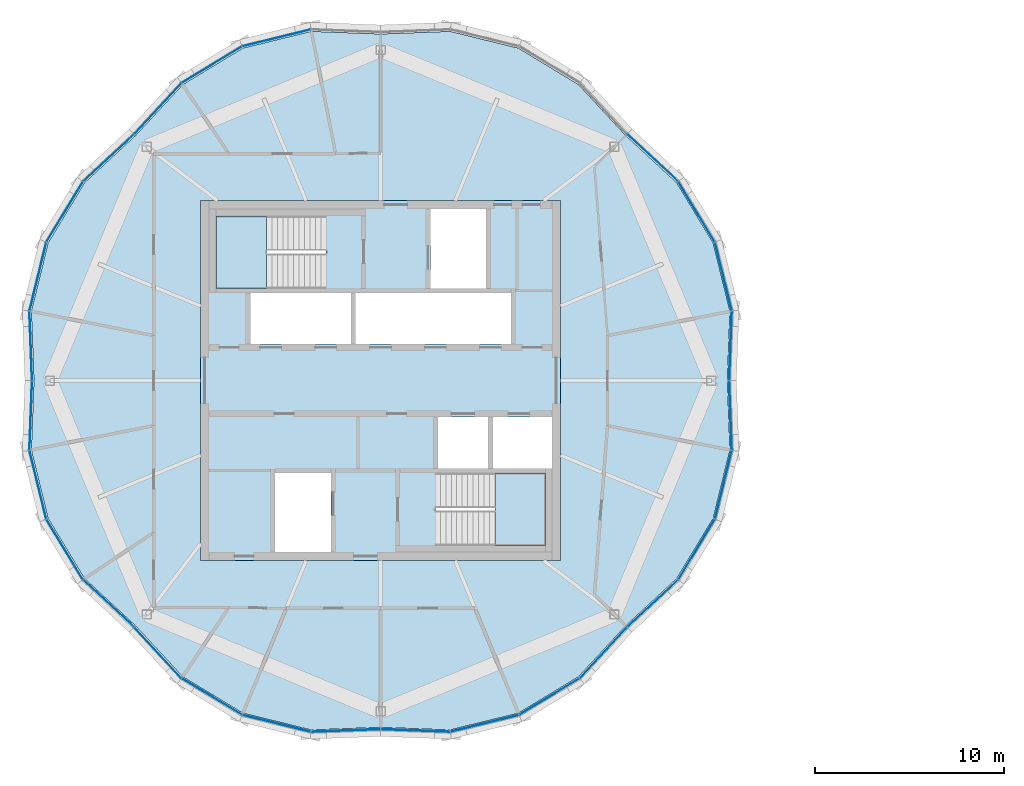
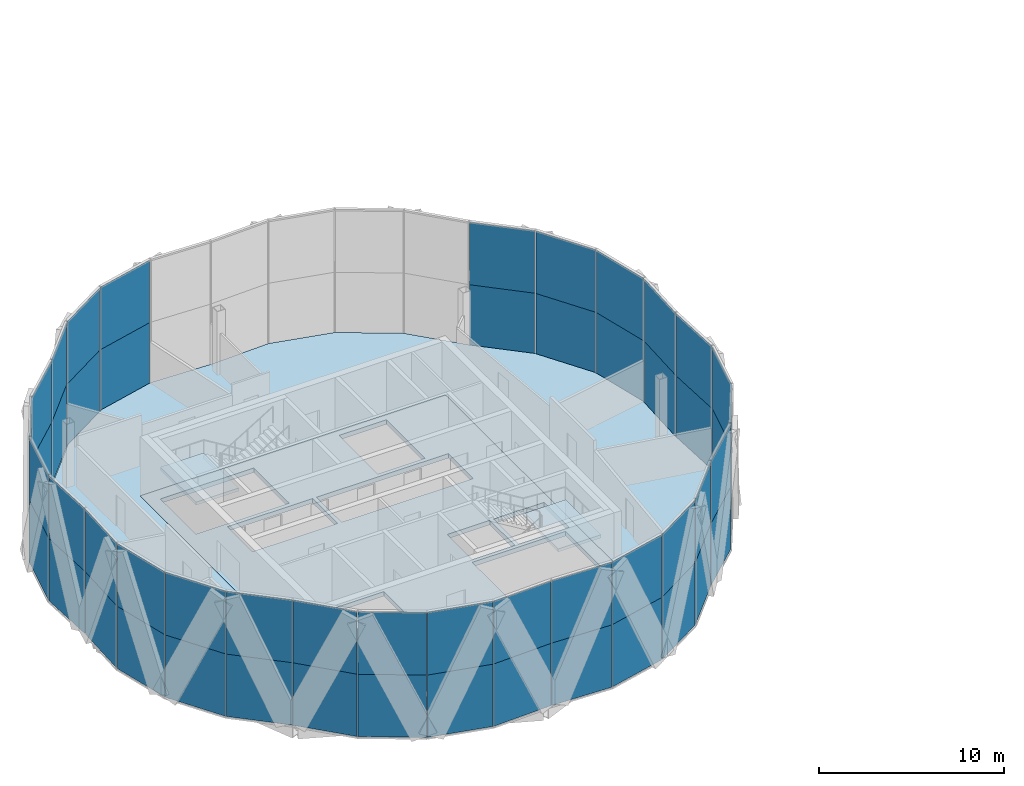
# One storey, part 12 of 22: 54 plates, 4 slabs, 9 elements without a shape of their own.
"""IFC4 building model written with IfcOpenShell, lengths in metres."""

from ifc_helpers import new_model, si_unit, direction, frame, origin, origin_2d, place, context, subcontext, project, spatial, polyline, rectangle, outline, extrude, material, layer, layer_set, type_object, element, aggregate, save


model = new_model("IFC4")

# Units and contexts
model_context = context("Model", 3, precision=1e-05, world=origin(), true_north=direction((0.0, 1.0)))
body_context = subcontext(model_context, "Body", "Model", "MODEL_VIEW")
ifc_project = project(units=[si_unit("LENGTHUNIT", "METRE"), si_unit("AREAUNIT", "SQUARE_METRE"), si_unit("VOLUMEUNIT", "CUBIC_METRE"), si_unit("PLANEANGLEUNIT", "RADIAN"), si_unit("MASSUNIT", "GRAM", prefix="KILO")], contexts=[model_context])

# Site, building, storey
site_placement = place(None, origin())
site = spatial("IfcSite", under=ifc_project, at=site_placement, CompositionType="ELEMENT")
building_placement = place(site_placement, origin())
building = spatial("IfcBuilding", under=site, at=building_placement, Name="Ogive Gate Towers", CompositionType="ELEMENT")
storey_placement = place(building_placement, frame((0.0, 0.0, 285.60009765625)))
storey = spatial("IfcBuildingStorey", under=building, at=storey_placement, Name="L67", CompositionType="ELEMENT", Elevation=285.60009765625)

# Slabs
ifc_material_1 = material(Name="Concrete C40/50", Category="concrete")
ifc_layer_1 = layer(ifc_material_1, 0.300048828125)
ifc_layer_set_1 = layer_set([ifc_layer_1], Name="Core slab C40/50 300 mm")
slab_type_1 = type_object("IfcSlabType", Name="Core slab C40/50 300 mm", PredefinedType="FLOOR", material=ifc_layer_set_1)
slab_1_placement = place(storey_placement, frame((0.0, 0.0, -0.300048828125)))
element("IfcSlab", 1, at=slab_1_placement, inside=storey, type_object=slab_type_1, Name="T1 L67 core slab", PredefinedType="FLOOR", context=body_context, shape_type="SweptSolid", body=[
    extrude(outline(polyline([(-45.5, -9.5), (-45.5, 9.5), (-26.5, 9.5), (-26.5, -9.5), (-45.5, -9.5)]), holes=[polyline([(-42.875, 1.925048828125), (-37.574951171875, 1.925048828125), (-37.574951171875, 4.625), (-42.875, 4.625), (-42.875, 1.925048828125)]), polyline([(-37.324951171875, 4.625), (-37.324951171875, 1.925048828125), (-29.125, 1.925048828125), (-29.125, 4.625), (-37.324951171875, 4.625)]), polyline([(-30.324951171875, -1.925048828125), (-32.97509765625, -1.925048828125), (-32.97509765625, -4.625), (-30.324951171875, -4.625), (-30.324951171875, -1.925048828125)]), polyline([(-26.949951171875, -4.625), (-26.949951171875, -1.925048828125), (-30.074951171875, -1.925048828125), (-30.074951171875, -4.625), (-26.949951171875, -4.625)]), polyline([(-33.375, 4.875), (-30.425048828125, 4.875), (-30.425048828125, 9.050048828125), (-33.375, 9.050048828125), (-33.375, 4.875)]), polyline([(-41.574951171875, -4.875), (-41.574951171875, -9.050048828125), (-38.625, -9.050048828125), (-38.625, -4.875), (-41.574951171875, -4.875)]), polyline([(-44.699951171875, 4.875), (-38.885009765625, 4.875), (-38.885009765625, 8.699951171875), (-44.699951171875, 8.699951171875), (-44.699951171875, 4.875)]), polyline([(-27.300048828125, -8.699951171875), (-27.300048828125, -4.875), (-33.114990234375, -4.875), (-33.114990234375, -8.699951171875), (-27.300048828125, -8.699951171875)])]), origin(), (0.0, 0.0, 1.0), 0.300048828125),
])
ifc_material_2 = material(Name="Concrete C35/45", Category="concrete")
ifc_layer_2 = layer(ifc_material_2, 0.300048828125)
ifc_layer_set_2 = layer_set([ifc_layer_2], Name="Floor slab 300")
slab_type_2 = type_object("IfcSlabType", Name="Floor slab 300", PredefinedType="FLOOR", material=ifc_layer_set_2)
slab_2_placement = place(storey_placement, frame((0.0, 0.0, -0.300048828125)))
element("IfcSlab", 2, at=slab_2_placement, inside=storey, type_object=slab_type_2, Name="T1/L67/SSL001", PredefinedType="FLOOR", context=body_context, shape_type="SweptSolid", body=[
    extrude(outline(polyline([(-17.561279296875, -3.667724609375), (-17.699951171875, 0.0), (-17.561279296875, 3.667724609375), (-18.4462890625, 7.27099609375), (-20.368408203125, 10.44482421875), (-23.06005859375, 12.93994140625), (-25.55517578125, 15.631591796875), (-28.72900390625, 17.5537109375), (-32.332275390625, 18.438720703125), (-36.0, 18.300048828125), (-39.667724609375, 18.438720703125), (-43.27099609375, 17.5537109375), (-46.44482421875, 15.631591796875), (-48.93994140625, 12.93994140625), (-51.631591796875, 10.44482421875), (-53.5537109375, 7.27099609375), (-54.438720703125, 3.667724609375), (-54.300048828125, 0.0), (-54.438720703125, -3.667724609375), (-53.5537109375, -7.27099609375), (-51.631591796875, -10.44482421875), (-48.93994140625, -12.93994140625), (-46.44482421875, -15.631591796875), (-43.27099609375, -17.5537109375), (-39.667724609375, -18.438720703125), (-36.0, -18.300048828125), (-32.332275390625, -18.438720703125), (-28.72900390625, -17.5537109375), (-25.55517578125, -15.631591796875), (-23.06005859375, -12.93994140625), (-20.368408203125, -10.44482421875), (-18.4462890625, -7.27099609375), (-17.561279296875, -3.667724609375)]), holes=[polyline([(-26.5, -9.5), (-45.5, -9.5), (-45.5, 9.5), (-26.5, 9.5), (-26.5, -9.5)])]), origin(), (0.0, 0.0, 1.0), 0.300048828125),
])

# Stair, slab
stair_type = type_object("IfcStairType", Name="Escape stair 1840 wide", PredefinedType="HALF_TURN_STAIR", material=ifc_material_1)
stair_1_placement = place(storey_placement, origin())
stair_1 = element("IfcStair", 3, at=stair_1_placement, inside=storey, type_object=stair_type, Name="L67 Escape stair 1", PredefinedType="HALF_TURN_STAIR")
ifc_layer_3 = layer(ifc_material_1, 0.199951171875)
ifc_layer_set_3 = layer_set([ifc_layer_3], Name="Stair landing 200 mm")
slab_type_3 = type_object("IfcSlabType", Name="Stair landing 200 mm", PredefinedType="LANDING", material=ifc_layer_set_3)
slab_3_placement = place(storey_placement, frame((0.0, 0.0, 1.89990234375)))
slab_3 = element("IfcSlab", 4, at=slab_3_placement, type_object=slab_type_3, Name="ST1 landing 1", PredefinedType="LANDING", context=body_context, shape_type="SweptSolid", body=[
    extrude(outline(polyline([(-42.027587890625, 8.699951171875), (-44.699951171875, 8.699951171875), (-44.699951171875, 4.875), (-42.027587890625, 4.875), (-42.027587890625, 8.699951171875)])), origin(), (0.0, 0.0, 1.0), 0.199951171875),
])
aggregate(stair_1, [slab_3])

stair_2_placement = place(storey_placement, origin())
stair_2 = element("IfcStair", 5, at=stair_2_placement, inside=storey, type_object=stair_type, Name="L67 Escape stair 2", PredefinedType="HALF_TURN_STAIR")
slab_4_placement = place(storey_placement, frame((0.0, 0.0, 1.89990234375)))
slab_4 = element("IfcSlab", 6, at=slab_4_placement, type_object=slab_type_3, Name="ST2 landing 1", PredefinedType="LANDING", context=body_context, shape_type="SweptSolid", body=[
    extrude(outline(polyline([(-29.972412109375, -8.699951171875), (-27.300048828125, -8.699951171875), (-27.300048828125, -4.875), (-29.972412109375, -4.875), (-29.972412109375, -8.699951171875)])), origin(), (0.0, 0.0, 1.0), 0.199951171875),
])
aggregate(stair_2, [slab_4])

# Curtain wall, plates
ifc_material_3 = material(Name="Pale metal aluminium", Category="aluminium")
curtain_wall_type = type_object("IfcCurtainWallType", Name="Tower unitised wall, high zone", PredefinedType="NOTDEFINED", material=ifc_material_3)
curtain_wall_1_placement = place(storey_placement, origin())
curtain_wall_1 = element("IfcCurtainWall", 7, at=curtain_wall_1_placement, inside=storey, type_object=curtain_wall_type, Name="CW2 T1 ECW01", PredefinedType="NOTDEFINED")
ifc_material_4 = material(Name="Clear glass", Category="glass")
ifc_layer_4 = layer(ifc_material_4, 0.028076171875)
ifc_layer_set_4 = layer_set([ifc_layer_4], Name="Tower unitised wall, high zone glass panel")
plate_type = type_object("IfcPlateType", Name="Tower unitised wall, high zone glass panel", PredefinedType="CURTAIN_PANEL", material=ifc_layer_set_4)
plate_1_placement = place(storey_placement, frame((-17.530517578125, 1.8369140625, -0.2041015625), z_axis=(0.0, 0.0, 1.0), x_axis=(0.037794827812, 0.999285520255, 0.0)))
plate_1 = element("IfcPlate", 8, at=plate_1_placement, type_object=plate_type, Name="CW2 glass panel", PredefinedType="CURTAIN_PANEL", context=body_context, shape_type="SweptSolid", body=[
    extrude(rectangle(XDim=3.62255859375, YDim=0.028076171875, at=origin_2d()), origin(), (0.0, 0.0, 1.0), 4.10400390625),
])
plate_2_placement = place(storey_placement, frame((-17.530517578125, 1.8369140625, 3.89990234375), z_axis=(0.0, 0.0, 1.0), x_axis=(0.037794827812, 0.999285520255, 0.0)))
plate_2 = element("IfcPlate", 9, at=plate_2_placement, type_object=plate_type, Name="CW2 glass panel", PredefinedType="CURTAIN_PANEL", context=body_context, shape_type="SweptSolid", body=[
    extrude(rectangle(XDim=3.62255859375, YDim=0.028076171875, at=origin_2d()), origin(), (0.0, 0.0, 1.0), 4.10400390625),
])
plate_3_placement = place(storey_placement, frame((-17.90673828125, 5.49365234375, -0.2041015625), z_axis=(0.0, 0.0, 1.0), x_axis=(-0.238516508052, 0.971138442956, 0.0)))
plate_3 = element("IfcPlate", 10, at=plate_3_placement, type_object=plate_type, Name="CW2 glass panel", PredefinedType="CURTAIN_PANEL", context=body_context, shape_type="SweptSolid", body=[
    extrude(rectangle(XDim=3.677490234375, YDim=0.028076171875, at=origin_2d()), origin(), (0.0, 0.0, 1.0), 4.10400390625),
])
plate_4_placement = place(storey_placement, frame((-17.90673828125, 5.49365234375, 3.89990234375), z_axis=(0.0, 0.0, 1.0), x_axis=(-0.238516508052, 0.971138442956, 0.0)))
plate_4 = element("IfcPlate", 11, at=plate_4_placement, type_object=plate_type, Name="CW2 glass panel", PredefinedType="CURTAIN_PANEL", context=body_context, shape_type="SweptSolid", body=[
    extrude(rectangle(XDim=3.677490234375, YDim=0.028076171875, at=origin_2d()), origin(), (0.0, 0.0, 1.0), 4.10400390625),
])
plate_5_placement = place(storey_placement, frame((-19.321533203125, 8.9091796875, -0.2041015625), z_axis=(0.0, 0.0, 1.0), x_axis=(-0.518027009373, 0.855364260161, 0.0)))
plate_5 = element("IfcPlate", 12, at=plate_5_placement, type_object=plate_type, Name="CW2 glass panel", PredefinedType="CURTAIN_PANEL", context=body_context, shape_type="SweptSolid", body=[
    extrude(rectangle(XDim=3.677490234375, YDim=0.028076171875, at=origin_2d()), origin(), (0.0, 0.0, 1.0), 4.10400390625),
])
plate_6_placement = place(storey_placement, frame((-19.321533203125, 8.9091796875, 3.89990234375), z_axis=(0.0, 0.0, 1.0), x_axis=(-0.518027009373, 0.855364260161, 0.0)))
plate_6 = element("IfcPlate", 13, at=plate_6_placement, type_object=plate_type, Name="CW2 glass panel", PredefinedType="CURTAIN_PANEL", context=body_context, shape_type="SweptSolid", body=[
    extrude(rectangle(XDim=3.677490234375, YDim=0.028076171875, at=origin_2d()), origin(), (0.0, 0.0, 1.0), 4.10400390625),
])
plate_7_placement = place(storey_placement, frame((-21.64111328125, 11.760986328125, -0.2041015625), z_axis=(0.0, 0.0, 1.0), x_axis=(-0.733338412727, 0.679863789608, 0.0)))
plate_7 = element("IfcPlate", 14, at=plate_7_placement, type_object=plate_type, Name="CW2 glass panel", PredefinedType="CURTAIN_PANEL", context=body_context, shape_type="SweptSolid", body=[
    extrude(rectangle(XDim=3.62255859375, YDim=0.028076171875, at=origin_2d()), origin(), (0.0, 0.0, 1.0), 4.10400390625),
])
plate_8_placement = place(storey_placement, frame((-21.64111328125, 11.760986328125, 3.89990234375), z_axis=(0.0, 0.0, 1.0), x_axis=(-0.733338412727, 0.679863789608, 0.0)))
plate_8 = element("IfcPlate", 15, at=plate_8_placement, type_object=plate_type, Name="CW2 glass panel", PredefinedType="CURTAIN_PANEL", context=body_context, shape_type="SweptSolid", body=[
    extrude(rectangle(XDim=3.62255859375, YDim=0.028076171875, at=origin_2d()), origin(), (0.0, 0.0, 1.0), 4.10400390625),
])
aggregate(curtain_wall_1, [plate_1, plate_2, plate_3, plate_4, plate_5, plate_6, plate_7, plate_8])

curtain_wall_2_placement = place(storey_placement, origin())
curtain_wall_2 = element("IfcCurtainWall", 16, at=curtain_wall_2_placement, inside=storey, type_object=curtain_wall_type, Name="CW2 T1 ECW03", PredefinedType="NOTDEFINED")
plate_9_placement = place(storey_placement, frame((-41.49365234375, 18.09326171875, -0.2041015625), z_axis=(0.0, 0.0, 1.0), x_axis=(-0.971138442956, -0.238516508052, 0.0)))
plate_9 = element("IfcPlate", 17, at=plate_9_placement, type_object=plate_type, Name="CW2 glass panel", PredefinedType="CURTAIN_PANEL", context=body_context, shape_type="SweptSolid", body=[
    extrude(rectangle(XDim=3.677490234375, YDim=0.028076171875, at=origin_2d()), origin(), (0.0, 0.0, 1.0), 4.10400390625),
])
plate_10_placement = place(storey_placement, frame((-41.49365234375, 18.09326171875, 3.89990234375), z_axis=(0.0, 0.0, 1.0), x_axis=(-0.971138442956, -0.238516508052, 0.0)))
plate_10 = element("IfcPlate", 18, at=plate_10_placement, type_object=plate_type, Name="CW2 glass panel", PredefinedType="CURTAIN_PANEL", context=body_context, shape_type="SweptSolid", body=[
    extrude(rectangle(XDim=3.677490234375, YDim=0.028076171875, at=origin_2d()), origin(), (0.0, 0.0, 1.0), 4.10400390625),
])
plate_11_placement = place(storey_placement, frame((-44.9091796875, 16.678466796875, -0.2041015625), z_axis=(0.0, 0.0, 1.0), x_axis=(-0.855364260161, -0.518027009373, 0.0)))
plate_11 = element("IfcPlate", 19, at=plate_11_placement, type_object=plate_type, Name="CW2 glass panel", PredefinedType="CURTAIN_PANEL", context=body_context, shape_type="SweptSolid", body=[
    extrude(rectangle(XDim=3.677490234375, YDim=0.028076171875, at=origin_2d()), origin(), (0.0, 0.0, 1.0), 4.10400390625),
])
plate_12_placement = place(storey_placement, frame((-44.9091796875, 16.678466796875, 3.89990234375), z_axis=(0.0, 0.0, 1.0), x_axis=(-0.855364260161, -0.518027009373, 0.0)))
plate_12 = element("IfcPlate", 20, at=plate_12_placement, type_object=plate_type, Name="CW2 glass panel", PredefinedType="CURTAIN_PANEL", context=body_context, shape_type="SweptSolid", body=[
    extrude(rectangle(XDim=3.677490234375, YDim=0.028076171875, at=origin_2d()), origin(), (0.0, 0.0, 1.0), 4.10400390625),
])
plate_13_placement = place(storey_placement, frame((-47.760986328125, 14.35888671875, -0.2041015625), z_axis=(0.0, 0.0, 1.0), x_axis=(-0.679863789608, -0.733338412727, 0.0)))
plate_13 = element("IfcPlate", 21, at=plate_13_placement, type_object=plate_type, Name="CW2 glass panel", PredefinedType="CURTAIN_PANEL", context=body_context, shape_type="SweptSolid", body=[
    extrude(rectangle(XDim=3.62255859375, YDim=0.028076171875, at=origin_2d()), origin(), (0.0, 0.0, 1.0), 4.10400390625),
])
plate_14_placement = place(storey_placement, frame((-47.760986328125, 14.35888671875, 3.89990234375), z_axis=(0.0, 0.0, 1.0), x_axis=(-0.679863789608, -0.733338412727, 0.0)))
plate_14 = element("IfcPlate", 22, at=plate_14_placement, type_object=plate_type, Name="CW2 glass panel", PredefinedType="CURTAIN_PANEL", context=body_context, shape_type="SweptSolid", body=[
    extrude(rectangle(XDim=3.62255859375, YDim=0.028076171875, at=origin_2d()), origin(), (0.0, 0.0, 1.0), 4.10400390625),
])
aggregate(curtain_wall_2, [plate_9, plate_10, plate_11, plate_12, plate_13, plate_14])

curtain_wall_3_placement = place(storey_placement, origin())
curtain_wall_3 = element("IfcCurtainWall", 23, at=curtain_wall_3_placement, inside=storey, type_object=curtain_wall_type, Name="CW2 T1 ECW04", PredefinedType="NOTDEFINED")
plate_15_placement = place(storey_placement, frame((-50.35888671875, 11.760986328125, -0.2041015625), z_axis=(0.0, 0.0, 1.0), x_axis=(-0.733338412727, -0.679863789608, 0.0)))
plate_15 = element("IfcPlate", 24, at=plate_15_placement, type_object=plate_type, Name="CW2 glass panel", PredefinedType="CURTAIN_PANEL", context=body_context, shape_type="SweptSolid", body=[
    extrude(rectangle(XDim=3.62255859375, YDim=0.028076171875, at=origin_2d()), origin(), (0.0, 0.0, 1.0), 4.10400390625),
])
plate_16_placement = place(storey_placement, frame((-50.35888671875, 11.760986328125, 3.89990234375), z_axis=(0.0, 0.0, 1.0), x_axis=(-0.733338412727, -0.679863789608, 0.0)))
plate_16 = element("IfcPlate", 25, at=plate_16_placement, type_object=plate_type, Name="CW2 glass panel", PredefinedType="CURTAIN_PANEL", context=body_context, shape_type="SweptSolid", body=[
    extrude(rectangle(XDim=3.62255859375, YDim=0.028076171875, at=origin_2d()), origin(), (0.0, 0.0, 1.0), 4.10400390625),
])
plate_17_placement = place(storey_placement, frame((-52.678466796875, 8.9091796875, -0.2041015625), z_axis=(0.0, 0.0, 1.0), x_axis=(-0.518027009373, -0.855364260161, 0.0)))
plate_17 = element("IfcPlate", 26, at=plate_17_placement, type_object=plate_type, Name="CW2 glass panel", PredefinedType="CURTAIN_PANEL", context=body_context, shape_type="SweptSolid", body=[
    extrude(rectangle(XDim=3.677490234375, YDim=0.028076171875, at=origin_2d()), origin(), (0.0, 0.0, 1.0), 4.10400390625),
])
plate_18_placement = place(storey_placement, frame((-52.678466796875, 8.9091796875, 3.89990234375), z_axis=(0.0, 0.0, 1.0), x_axis=(-0.518027009373, -0.855364260161, 0.0)))
plate_18 = element("IfcPlate", 27, at=plate_18_placement, type_object=plate_type, Name="CW2 glass panel", PredefinedType="CURTAIN_PANEL", context=body_context, shape_type="SweptSolid", body=[
    extrude(rectangle(XDim=3.677490234375, YDim=0.028076171875, at=origin_2d()), origin(), (0.0, 0.0, 1.0), 4.10400390625),
])
plate_19_placement = place(storey_placement, frame((-54.09326171875, 5.49365234375, -0.2041015625), z_axis=(0.0, 0.0, 1.0), x_axis=(-0.238516508052, -0.971138442956, 0.0)))
plate_19 = element("IfcPlate", 28, at=plate_19_placement, type_object=plate_type, Name="CW2 glass panel", PredefinedType="CURTAIN_PANEL", context=body_context, shape_type="SweptSolid", body=[
    extrude(rectangle(XDim=3.677490234375, YDim=0.028076171875, at=origin_2d()), origin(), (0.0, 0.0, 1.0), 4.10400390625),
])
plate_20_placement = place(storey_placement, frame((-54.09326171875, 5.49365234375, 3.89990234375), z_axis=(0.0, 0.0, 1.0), x_axis=(-0.238516508052, -0.971138442956, 0.0)))
plate_20 = element("IfcPlate", 29, at=plate_20_placement, type_object=plate_type, Name="CW2 glass panel", PredefinedType="CURTAIN_PANEL", context=body_context, shape_type="SweptSolid", body=[
    extrude(rectangle(XDim=3.677490234375, YDim=0.028076171875, at=origin_2d()), origin(), (0.0, 0.0, 1.0), 4.10400390625),
])
plate_21_placement = place(storey_placement, frame((-54.469482421875, 1.8369140625, -0.2041015625), z_axis=(0.0, 0.0, 1.0), x_axis=(0.037794827812, -0.999285520255, 0.0)))
plate_21 = element("IfcPlate", 30, at=plate_21_placement, type_object=plate_type, Name="CW2 glass panel", PredefinedType="CURTAIN_PANEL", context=body_context, shape_type="SweptSolid", body=[
    extrude(rectangle(XDim=3.62255859375, YDim=0.028076171875, at=origin_2d()), origin(), (0.0, 0.0, 1.0), 4.10400390625),
])
plate_22_placement = place(storey_placement, frame((-54.469482421875, 1.8369140625, 3.89990234375), z_axis=(0.0, 0.0, 1.0), x_axis=(0.037794827812, -0.999285520255, 0.0)))
plate_22 = element("IfcPlate", 31, at=plate_22_placement, type_object=plate_type, Name="CW2 glass panel", PredefinedType="CURTAIN_PANEL", context=body_context, shape_type="SweptSolid", body=[
    extrude(rectangle(XDim=3.62255859375, YDim=0.028076171875, at=origin_2d()), origin(), (0.0, 0.0, 1.0), 4.10400390625),
])
aggregate(curtain_wall_3, [plate_15, plate_16, plate_17, plate_18, plate_19, plate_20, plate_21, plate_22])

curtain_wall_4_placement = place(storey_placement, origin())
curtain_wall_4 = element("IfcCurtainWall", 32, at=curtain_wall_4_placement, inside=storey, type_object=curtain_wall_type, Name="CW2 T1 ECW05", PredefinedType="NOTDEFINED")
plate_23_placement = place(storey_placement, frame((-54.469482421875, -1.8369140625, -0.2041015625), z_axis=(0.0, 0.0, 1.0), x_axis=(-0.037794827812, -0.999285520255, 0.0)))
plate_23 = element("IfcPlate", 33, at=plate_23_placement, type_object=plate_type, Name="CW2 glass panel", PredefinedType="CURTAIN_PANEL", context=body_context, shape_type="SweptSolid", body=[
    extrude(rectangle(XDim=3.62255859375, YDim=0.028076171875, at=origin_2d()), origin(), (0.0, 0.0, 1.0), 4.10400390625),
])
plate_24_placement = place(storey_placement, frame((-54.469482421875, -1.8369140625, 3.89990234375), z_axis=(0.0, 0.0, 1.0), x_axis=(-0.037794827812, -0.999285520255, 0.0)))
plate_24 = element("IfcPlate", 34, at=plate_24_placement, type_object=plate_type, Name="CW2 glass panel", PredefinedType="CURTAIN_PANEL", context=body_context, shape_type="SweptSolid", body=[
    extrude(rectangle(XDim=3.62255859375, YDim=0.028076171875, at=origin_2d()), origin(), (0.0, 0.0, 1.0), 4.10400390625),
])
plate_25_placement = place(storey_placement, frame((-54.09326171875, -5.49365234375, -0.2041015625), z_axis=(0.0, 0.0, 1.0), x_axis=(0.238516508052, -0.971138442956, 0.0)))
plate_25 = element("IfcPlate", 35, at=plate_25_placement, type_object=plate_type, Name="CW2 glass panel", PredefinedType="CURTAIN_PANEL", context=body_context, shape_type="SweptSolid", body=[
    extrude(rectangle(XDim=3.677490234375, YDim=0.028076171875, at=origin_2d()), origin(), (0.0, 0.0, 1.0), 4.10400390625),
])
plate_26_placement = place(storey_placement, frame((-54.09326171875, -5.49365234375, 3.89990234375), z_axis=(0.0, 0.0, 1.0), x_axis=(0.238516508052, -0.971138442956, 0.0)))
plate_26 = element("IfcPlate", 36, at=plate_26_placement, type_object=plate_type, Name="CW2 glass panel", PredefinedType="CURTAIN_PANEL", context=body_context, shape_type="SweptSolid", body=[
    extrude(rectangle(XDim=3.677490234375, YDim=0.028076171875, at=origin_2d()), origin(), (0.0, 0.0, 1.0), 4.10400390625),
])
plate_27_placement = place(storey_placement, frame((-52.678466796875, -8.9091796875, -0.2041015625), z_axis=(0.0, 0.0, 1.0), x_axis=(0.518027009373, -0.855364260161, 0.0)))
plate_27 = element("IfcPlate", 37, at=plate_27_placement, type_object=plate_type, Name="CW2 glass panel", PredefinedType="CURTAIN_PANEL", context=body_context, shape_type="SweptSolid", body=[
    extrude(rectangle(XDim=3.677490234375, YDim=0.028076171875, at=origin_2d()), origin(), (0.0, 0.0, 1.0), 4.10400390625),
])
plate_28_placement = place(storey_placement, frame((-52.678466796875, -8.9091796875, 3.89990234375), z_axis=(0.0, 0.0, 1.0), x_axis=(0.518027009373, -0.855364260161, 0.0)))
plate_28 = element("IfcPlate", 38, at=plate_28_placement, type_object=plate_type, Name="CW2 glass panel", PredefinedType="CURTAIN_PANEL", context=body_context, shape_type="SweptSolid", body=[
    extrude(rectangle(XDim=3.677490234375, YDim=0.028076171875, at=origin_2d()), origin(), (0.0, 0.0, 1.0), 4.10400390625),
])
plate_29_placement = place(storey_placement, frame((-50.35888671875, -11.760986328125, -0.2041015625), z_axis=(0.0, 0.0, 1.0), x_axis=(0.733338412727, -0.679863789608, 0.0)))
plate_29 = element("IfcPlate", 39, at=plate_29_placement, type_object=plate_type, Name="CW2 glass panel", PredefinedType="CURTAIN_PANEL", context=body_context, shape_type="SweptSolid", body=[
    extrude(rectangle(XDim=3.62255859375, YDim=0.028076171875, at=origin_2d()), origin(), (0.0, 0.0, 1.0), 4.10400390625),
])
plate_30_placement = place(storey_placement, frame((-50.35888671875, -11.760986328125, 3.89990234375), z_axis=(0.0, 0.0, 1.0), x_axis=(0.733338412727, -0.679863789608, 0.0)))
plate_30 = element("IfcPlate", 40, at=plate_30_placement, type_object=plate_type, Name="CW2 glass panel", PredefinedType="CURTAIN_PANEL", context=body_context, shape_type="SweptSolid", body=[
    extrude(rectangle(XDim=3.62255859375, YDim=0.028076171875, at=origin_2d()), origin(), (0.0, 0.0, 1.0), 4.10400390625),
])
aggregate(curtain_wall_4, [plate_23, plate_24, plate_25, plate_26, plate_27, plate_28, plate_29, plate_30])

curtain_wall_5_placement = place(storey_placement, origin())
curtain_wall_5 = element("IfcCurtainWall", 41, at=curtain_wall_5_placement, inside=storey, type_object=curtain_wall_type, Name="CW2 T1 ECW06", PredefinedType="NOTDEFINED")
plate_31_placement = place(storey_placement, frame((-47.760986328125, -14.35888671875, -0.2041015625), z_axis=(0.0, 0.0, 1.0), x_axis=(0.679863789608, -0.733338412727, 0.0)))
plate_31 = element("IfcPlate", 42, at=plate_31_placement, type_object=plate_type, Name="CW2 glass panel", PredefinedType="CURTAIN_PANEL", context=body_context, shape_type="SweptSolid", body=[
    extrude(rectangle(XDim=3.62255859375, YDim=0.028076171875, at=origin_2d()), origin(), (0.0, 0.0, 1.0), 4.10400390625),
])
plate_32_placement = place(storey_placement, frame((-47.760986328125, -14.35888671875, 3.89990234375), z_axis=(0.0, 0.0, 1.0), x_axis=(0.679863789608, -0.733338412727, 0.0)))
plate_32 = element("IfcPlate", 43, at=plate_32_placement, type_object=plate_type, Name="CW2 glass panel", PredefinedType="CURTAIN_PANEL", context=body_context, shape_type="SweptSolid", body=[
    extrude(rectangle(XDim=3.62255859375, YDim=0.028076171875, at=origin_2d()), origin(), (0.0, 0.0, 1.0), 4.10400390625),
])
plate_33_placement = place(storey_placement, frame((-44.9091796875, -16.678466796875, -0.2041015625), z_axis=(0.0, 0.0, 1.0), x_axis=(0.855364260161, -0.518027009373, 0.0)))
plate_33 = element("IfcPlate", 44, at=plate_33_placement, type_object=plate_type, Name="CW2 glass panel", PredefinedType="CURTAIN_PANEL", context=body_context, shape_type="SweptSolid", body=[
    extrude(rectangle(XDim=3.677490234375, YDim=0.028076171875, at=origin_2d()), origin(), (0.0, 0.0, 1.0), 4.10400390625),
])
plate_34_placement = place(storey_placement, frame((-44.9091796875, -16.678466796875, 3.89990234375), z_axis=(0.0, 0.0, 1.0), x_axis=(0.855364260161, -0.518027009373, 0.0)))
plate_34 = element("IfcPlate", 45, at=plate_34_placement, type_object=plate_type, Name="CW2 glass panel", PredefinedType="CURTAIN_PANEL", context=body_context, shape_type="SweptSolid", body=[
    extrude(rectangle(XDim=3.677490234375, YDim=0.028076171875, at=origin_2d()), origin(), (0.0, 0.0, 1.0), 4.10400390625),
])
plate_35_placement = place(storey_placement, frame((-41.49365234375, -18.09326171875, -0.2041015625), z_axis=(0.0, 0.0, 1.0), x_axis=(0.971138442956, -0.238516508052, 0.0)))
plate_35 = element("IfcPlate", 46, at=plate_35_placement, type_object=plate_type, Name="CW2 glass panel", PredefinedType="CURTAIN_PANEL", context=body_context, shape_type="SweptSolid", body=[
    extrude(rectangle(XDim=3.677490234375, YDim=0.028076171875, at=origin_2d()), origin(), (0.0, 0.0, 1.0), 4.10400390625),
])
plate_36_placement = place(storey_placement, frame((-41.49365234375, -18.09326171875, 3.89990234375), z_axis=(0.0, 0.0, 1.0), x_axis=(0.971138442956, -0.238516508052, 0.0)))
plate_36 = element("IfcPlate", 47, at=plate_36_placement, type_object=plate_type, Name="CW2 glass panel", PredefinedType="CURTAIN_PANEL", context=body_context, shape_type="SweptSolid", body=[
    extrude(rectangle(XDim=3.677490234375, YDim=0.028076171875, at=origin_2d()), origin(), (0.0, 0.0, 1.0), 4.10400390625),
])
plate_37_placement = place(storey_placement, frame((-37.8369140625, -18.469482421875, -0.2041015625), z_axis=(0.0, 0.0, 1.0), x_axis=(0.999285520255, 0.037794827812, 0.0)))
plate_37 = element("IfcPlate", 48, at=plate_37_placement, type_object=plate_type, Name="CW2 glass panel", PredefinedType="CURTAIN_PANEL", context=body_context, shape_type="SweptSolid", body=[
    extrude(rectangle(XDim=3.62255859375, YDim=0.028076171875, at=origin_2d()), origin(), (0.0, 0.0, 1.0), 4.10400390625),
])
plate_38_placement = place(storey_placement, frame((-37.8369140625, -18.469482421875, 3.89990234375), z_axis=(0.0, 0.0, 1.0), x_axis=(0.999285520255, 0.037794827812, 0.0)))
plate_38 = element("IfcPlate", 49, at=plate_38_placement, type_object=plate_type, Name="CW2 glass panel", PredefinedType="CURTAIN_PANEL", context=body_context, shape_type="SweptSolid", body=[
    extrude(rectangle(XDim=3.62255859375, YDim=0.028076171875, at=origin_2d()), origin(), (0.0, 0.0, 1.0), 4.10400390625),
])
aggregate(curtain_wall_5, [plate_31, plate_32, plate_33, plate_34, plate_35, plate_36, plate_37, plate_38])

curtain_wall_6_placement = place(storey_placement, origin())
curtain_wall_6 = element("IfcCurtainWall", 50, at=curtain_wall_6_placement, inside=storey, type_object=curtain_wall_type, Name="CW2 T1 ECW07", PredefinedType="NOTDEFINED")
plate_39_placement = place(storey_placement, frame((-34.1630859375, -18.469482421875, -0.2041015625), z_axis=(0.0, 0.0, 1.0), x_axis=(0.999285520255, -0.037794827812, 0.0)))
plate_39 = element("IfcPlate", 51, at=plate_39_placement, type_object=plate_type, Name="CW2 glass panel", PredefinedType="CURTAIN_PANEL", context=body_context, shape_type="SweptSolid", body=[
    extrude(rectangle(XDim=3.62255859375, YDim=0.028076171875, at=origin_2d()), origin(), (0.0, 0.0, 1.0), 4.10400390625),
])
plate_40_placement = place(storey_placement, frame((-34.1630859375, -18.469482421875, 3.89990234375), z_axis=(0.0, 0.0, 1.0), x_axis=(0.999285520255, -0.037794827812, 0.0)))
plate_40 = element("IfcPlate", 52, at=plate_40_placement, type_object=plate_type, Name="CW2 glass panel", PredefinedType="CURTAIN_PANEL", context=body_context, shape_type="SweptSolid", body=[
    extrude(rectangle(XDim=3.62255859375, YDim=0.028076171875, at=origin_2d()), origin(), (0.0, 0.0, 1.0), 4.10400390625),
])
plate_41_placement = place(storey_placement, frame((-30.50634765625, -18.09326171875, -0.2041015625), z_axis=(0.0, 0.0, 1.0), x_axis=(0.971138442956, 0.238516508052, 0.0)))
plate_41 = element("IfcPlate", 53, at=plate_41_placement, type_object=plate_type, Name="CW2 glass panel", PredefinedType="CURTAIN_PANEL", context=body_context, shape_type="SweptSolid", body=[
    extrude(rectangle(XDim=3.677490234375, YDim=0.028076171875, at=origin_2d()), origin(), (0.0, 0.0, 1.0), 4.10400390625),
])
plate_42_placement = place(storey_placement, frame((-30.50634765625, -18.09326171875, 3.89990234375), z_axis=(0.0, 0.0, 1.0), x_axis=(0.971138442956, 0.238516508052, 0.0)))
plate_42 = element("IfcPlate", 54, at=plate_42_placement, type_object=plate_type, Name="CW2 glass panel", PredefinedType="CURTAIN_PANEL", context=body_context, shape_type="SweptSolid", body=[
    extrude(rectangle(XDim=3.677490234375, YDim=0.028076171875, at=origin_2d()), origin(), (0.0, 0.0, 1.0), 4.10400390625),
])
plate_43_placement = place(storey_placement, frame((-27.0908203125, -16.678466796875, -0.2041015625), z_axis=(0.0, 0.0, 1.0), x_axis=(0.855364260161, 0.518027009373, 0.0)))
plate_43 = element("IfcPlate", 55, at=plate_43_placement, type_object=plate_type, Name="CW2 glass panel", PredefinedType="CURTAIN_PANEL", context=body_context, shape_type="SweptSolid", body=[
    extrude(rectangle(XDim=3.677490234375, YDim=0.028076171875, at=origin_2d()), origin(), (0.0, 0.0, 1.0), 4.10400390625),
])
plate_44_placement = place(storey_placement, frame((-27.0908203125, -16.678466796875, 3.89990234375), z_axis=(0.0, 0.0, 1.0), x_axis=(0.855364260161, 0.518027009373, 0.0)))
plate_44 = element("IfcPlate", 56, at=plate_44_placement, type_object=plate_type, Name="CW2 glass panel", PredefinedType="CURTAIN_PANEL", context=body_context, shape_type="SweptSolid", body=[
    extrude(rectangle(XDim=3.677490234375, YDim=0.028076171875, at=origin_2d()), origin(), (0.0, 0.0, 1.0), 4.10400390625),
])
plate_45_placement = place(storey_placement, frame((-24.239013671875, -14.35888671875, -0.2041015625), z_axis=(0.0, 0.0, 1.0), x_axis=(0.679863789608, 0.733338412727, 0.0)))
plate_45 = element("IfcPlate", 57, at=plate_45_placement, type_object=plate_type, Name="CW2 glass panel", PredefinedType="CURTAIN_PANEL", context=body_context, shape_type="SweptSolid", body=[
    extrude(rectangle(XDim=3.62255859375, YDim=0.028076171875, at=origin_2d()), origin(), (0.0, 0.0, 1.0), 4.10400390625),
])
plate_46_placement = place(storey_placement, frame((-24.239013671875, -14.35888671875, 3.89990234375), z_axis=(0.0, 0.0, 1.0), x_axis=(0.679863789608, 0.733338412727, 0.0)))
plate_46 = element("IfcPlate", 58, at=plate_46_placement, type_object=plate_type, Name="CW2 glass panel", PredefinedType="CURTAIN_PANEL", context=body_context, shape_type="SweptSolid", body=[
    extrude(rectangle(XDim=3.62255859375, YDim=0.028076171875, at=origin_2d()), origin(), (0.0, 0.0, 1.0), 4.10400390625),
])
aggregate(curtain_wall_6, [plate_39, plate_40, plate_41, plate_42, plate_43, plate_44, plate_45, plate_46])

curtain_wall_7_placement = place(storey_placement, origin())
curtain_wall_7 = element("IfcCurtainWall", 59, at=curtain_wall_7_placement, inside=storey, type_object=curtain_wall_type, Name="CW2 T1 ECW08", PredefinedType="NOTDEFINED")
plate_47_placement = place(storey_placement, frame((-21.64111328125, -11.760986328125, -0.2041015625), z_axis=(0.0, 0.0, 1.0), x_axis=(0.733338412727, 0.679863789608, 0.0)))
plate_47 = element("IfcPlate", 60, at=plate_47_placement, type_object=plate_type, Name="CW2 glass panel", PredefinedType="CURTAIN_PANEL", context=body_context, shape_type="SweptSolid", body=[
    extrude(rectangle(XDim=3.62255859375, YDim=0.028076171875, at=origin_2d()), origin(), (0.0, 0.0, 1.0), 4.10400390625),
])
plate_48_placement = place(storey_placement, frame((-21.64111328125, -11.760986328125, 3.89990234375), z_axis=(0.0, 0.0, 1.0), x_axis=(0.733338412727, 0.679863789608, 0.0)))
plate_48 = element("IfcPlate", 61, at=plate_48_placement, type_object=plate_type, Name="CW2 glass panel", PredefinedType="CURTAIN_PANEL", context=body_context, shape_type="SweptSolid", body=[
    extrude(rectangle(XDim=3.62255859375, YDim=0.028076171875, at=origin_2d()), origin(), (0.0, 0.0, 1.0), 4.10400390625),
])
plate_49_placement = place(storey_placement, frame((-19.321533203125, -8.9091796875, -0.2041015625), z_axis=(0.0, 0.0, 1.0), x_axis=(0.518027009373, 0.855364260161, 0.0)))
plate_49 = element("IfcPlate", 62, at=plate_49_placement, type_object=plate_type, Name="CW2 glass panel", PredefinedType="CURTAIN_PANEL", context=body_context, shape_type="SweptSolid", body=[
    extrude(rectangle(XDim=3.677490234375, YDim=0.028076171875, at=origin_2d()), origin(), (0.0, 0.0, 1.0), 4.10400390625),
])
plate_50_placement = place(storey_placement, frame((-19.321533203125, -8.9091796875, 3.89990234375), z_axis=(0.0, 0.0, 1.0), x_axis=(0.518027009373, 0.855364260161, 0.0)))
plate_50 = element("IfcPlate", 63, at=plate_50_placement, type_object=plate_type, Name="CW2 glass panel", PredefinedType="CURTAIN_PANEL", context=body_context, shape_type="SweptSolid", body=[
    extrude(rectangle(XDim=3.677490234375, YDim=0.028076171875, at=origin_2d()), origin(), (0.0, 0.0, 1.0), 4.10400390625),
])
plate_51_placement = place(storey_placement, frame((-17.90673828125, -5.49365234375, -0.2041015625), z_axis=(0.0, 0.0, 1.0), x_axis=(0.238516508052, 0.971138442956, 0.0)))
plate_51 = element("IfcPlate", 64, at=plate_51_placement, type_object=plate_type, Name="CW2 glass panel", PredefinedType="CURTAIN_PANEL", context=body_context, shape_type="SweptSolid", body=[
    extrude(rectangle(XDim=3.677490234375, YDim=0.028076171875, at=origin_2d()), origin(), (0.0, 0.0, 1.0), 4.10400390625),
])
plate_52_placement = place(storey_placement, frame((-17.90673828125, -5.49365234375, 3.89990234375), z_axis=(0.0, 0.0, 1.0), x_axis=(0.238516508052, 0.971138442956, 0.0)))
plate_52 = element("IfcPlate", 65, at=plate_52_placement, type_object=plate_type, Name="CW2 glass panel", PredefinedType="CURTAIN_PANEL", context=body_context, shape_type="SweptSolid", body=[
    extrude(rectangle(XDim=3.677490234375, YDim=0.028076171875, at=origin_2d()), origin(), (0.0, 0.0, 1.0), 4.10400390625),
])
plate_53_placement = place(storey_placement, frame((-17.530517578125, -1.8369140625, -0.2041015625), z_axis=(0.0, 0.0, 1.0), x_axis=(-0.037794827812, 0.999285520255, 0.0)))
plate_53 = element("IfcPlate", 66, at=plate_53_placement, type_object=plate_type, Name="CW2 glass panel", PredefinedType="CURTAIN_PANEL", context=body_context, shape_type="SweptSolid", body=[
    extrude(rectangle(XDim=3.62255859375, YDim=0.028076171875, at=origin_2d()), origin(), (0.0, 0.0, 1.0), 4.10400390625),
])
plate_54_placement = place(storey_placement, frame((-17.530517578125, -1.8369140625, 3.89990234375), z_axis=(0.0, 0.0, 1.0), x_axis=(-0.037794827812, 0.999285520255, 0.0)))
plate_54 = element("IfcPlate", 67, at=plate_54_placement, type_object=plate_type, Name="CW2 glass panel", PredefinedType="CURTAIN_PANEL", context=body_context, shape_type="SweptSolid", body=[
    extrude(rectangle(XDim=3.62255859375, YDim=0.028076171875, at=origin_2d()), origin(), (0.0, 0.0, 1.0), 4.10400390625),
])
aggregate(curtain_wall_7, [plate_47, plate_48, plate_49, plate_50, plate_51, plate_52, plate_53, plate_54])

save(model, "model.ifc")
